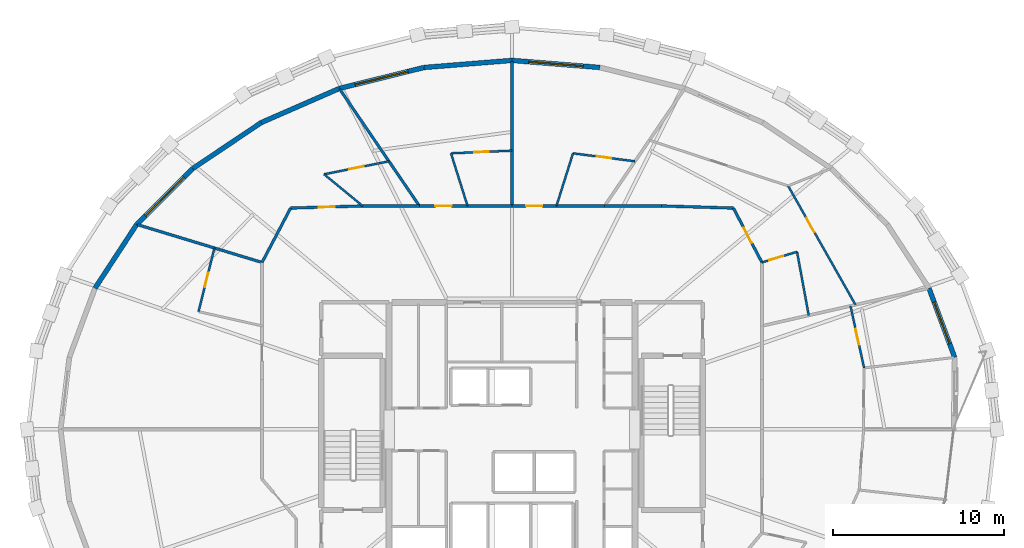
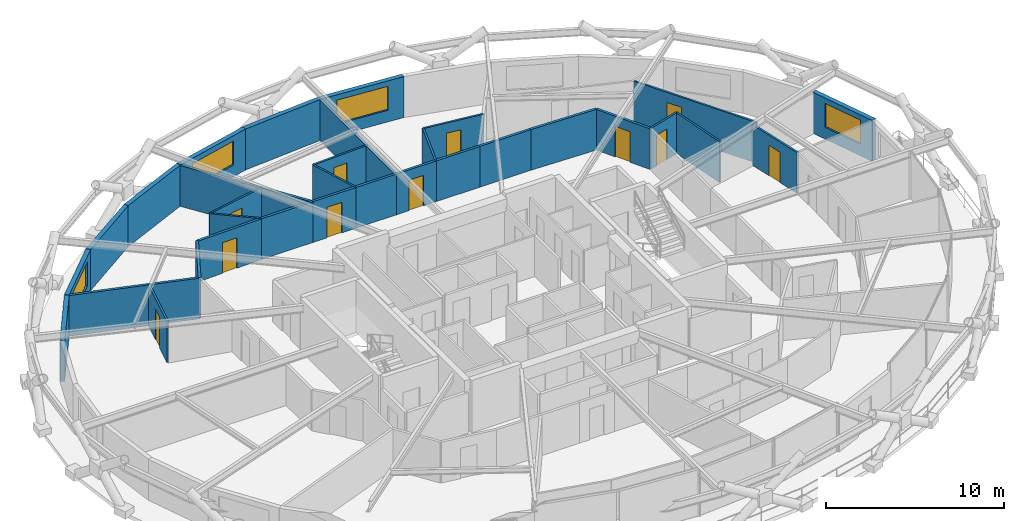
# One storey, part 17 of 21: 32 walls, 11 doors, 4 windows, 15 openings.
"""IFC4 building model written with IfcOpenShell, lengths in metres."""

from ifc_helpers import new_model, si_unit, direction, frame, frame_2d, origin, place, context, subcontext, project, spatial, rectangle, extrude, material, layer, layer_set, type_object, element, fill, save


model = new_model("IFC4")

# Units and contexts
model_context = context("Model", 3, precision=1e-05, world=origin(), true_north=direction((0.0, 1.0)))
body_context = subcontext(model_context, "Body", "Model", "MODEL_VIEW")
ifc_project = project(units=[si_unit("LENGTHUNIT", "METRE"), si_unit("AREAUNIT", "SQUARE_METRE"), si_unit("VOLUMEUNIT", "CUBIC_METRE"), si_unit("PLANEANGLEUNIT", "RADIAN"), si_unit("MASSUNIT", "GRAM", prefix="KILO")], contexts=[model_context])

# Site, building, storey
site_placement = place(None, origin())
site = spatial("IfcSite", under=ifc_project, at=site_placement, CompositionType="ELEMENT")
building_placement = place(site_placement, origin())
building = spatial("IfcBuilding", under=site, at=building_placement, Name="Veldorina Hangang Commons", CompositionType="ELEMENT")
storey_placement = place(building_placement, frame((0.0, 0.0, 142.39990234375)))
storey = spatial("IfcBuildingStorey", under=building, at=storey_placement, Name="L36", CompositionType="ELEMENT", Elevation=142.39990234375)

# Wall, opening, window
ifc_material_1 = material(Name="Stone Roman Travertine", Category="masonry")
ifc_layer_1 = layer(ifc_material_1, 0.280029296875)
ifc_layer_set_1 = layer_set([ifc_layer_1], Name="Stone Roman Travertine")
wall_type_1 = type_object("IfcWallType", Name="EW-TRAV-280", PredefinedType="STANDARD", material=ifc_layer_set_1)
wall_1_placement = place(storey_placement, frame((57.9462890625, 28.219970703125, 0.0), z_axis=(0.0, 0.0, 1.0), x_axis=(-0.347832416273, 0.937556723719, 0.0)))
wall_1 = element("IfcWall", 1, at=wall_1_placement, inside=storey, type_object=wall_type_1, Name="L36 travertine facade wall 01", PredefinedType="STANDARD", context=body_context, shape_type="SweptSolid", body=[
    extrude(rectangle(XDim=4.327880859375, YDim=0.280029296875, at=frame_2d((2.1640625, 0.0))), origin(), (0.0, 0.0, 1.0), 2.820068359375),
])
opening_1_placement = place(wall_1_placement, frame((0.864013671875, 0.0, 0.800048828125)))
opening_1 = element("IfcOpeningElement", 2, at=opening_1_placement, cuts=wall_1, Name="Opening W-02", PredefinedType="OPENING", context=body_context, shape_type="SweptSolid", body=[
    extrude(rectangle(XDim=2.60009765625, YDim=1.64990234375, at=frame_2d((1.300048828125, 0.824951171875))), frame((0.0, 0.14990234375, 0.0), z_axis=(0.0, -1.0, 0.0), x_axis=(1.0, 0.0, 0.0)), (0.0, 0.0, 1.0), 0.300048828125),
])
ifc_material_2 = material(Name="Glass Low-E Triple IGU", Category="glass")
window_type_1 = type_object("IfcWindowType", Name="WIN-TWR-2600", PartitioningType="SINGLE_PANEL", PredefinedType="WINDOW", material=ifc_material_2)
window_1_placement = place(opening_1_placement, origin())
window_1 = element("IfcWindow", 3, at=window_1_placement, inside=storey, type_object=window_type_1, Name="L36 facade window 01", OverallHeight=1.64990234375, OverallWidth=2.60009765625, PartitioningType="SINGLE_PANEL", PredefinedType="WINDOW", context=body_context, shape_type="SweptSolid", body=[
    extrude(rectangle(XDim=2.60009765625, YDim=1.64990234375, at=frame_2d((1.300048828125, 0.824951171875))), frame((0.0, 0.030029296875, 0.0), z_axis=(0.0, -1.0, 0.0), x_axis=(1.0, 0.0, 0.0)), (0.0, 0.0, 1.0), 0.06005859375),
])
fill(opening_1, window_1)

wall_2_placement = place(storey_placement, frame((37.160888671875, 45.214599609375, 0.0), z_axis=(0.0, 0.0, 1.0), x_axis=(-0.996770593757, 0.08030182701, 0.0)))
wall_2 = element("IfcWall", 4, at=wall_2_placement, inside=storey, type_object=wall_type_1, Name="L36 travertine facade wall 07", PredefinedType="STANDARD", context=body_context, shape_type="SweptSolid", body=[
    extrude(rectangle(XDim=5.177490234375, YDim=0.280029296875, at=frame_2d((2.5888671875, 0.0))), origin(), (0.0, 0.0, 1.0), 2.820068359375),
])
opening_2_placement = place(wall_2_placement, frame((0.989013671875, 0.0, 0.800048828125)))
opening_2 = element("IfcOpeningElement", 5, at=opening_2_placement, cuts=wall_2, Name="Opening W-01", PredefinedType="OPENING", context=body_context, shape_type="SweptSolid", body=[
    extrude(rectangle(XDim=3.199951171875, YDim=1.64990234375, at=frame_2d((1.60009765625, 0.824951171875))), frame((0.0, 0.14990234375, 0.0), z_axis=(0.0, -1.0, 0.0), x_axis=(1.0, 0.0, 0.0)), (0.0, 0.0, 1.0), 0.300048828125),
])
window_type_2 = type_object("IfcWindowType", Name="WIN-TWR-3200", PartitioningType="SINGLE_PANEL", PredefinedType="WINDOW", material=ifc_material_2)
window_2_placement = place(opening_2_placement, origin())
window_2 = element("IfcWindow", 6, at=window_2_placement, inside=storey, type_object=window_type_2, Name="L36 facade window 07", OverallHeight=1.64990234375, OverallWidth=3.199951171875, PartitioningType="SINGLE_PANEL", PredefinedType="WINDOW", context=body_context, shape_type="SweptSolid", body=[
    extrude(rectangle(XDim=3.199951171875, YDim=1.64990234375, at=frame_2d((1.60009765625, 0.824951171875))), frame((0.0, 0.030029296875, 0.0), z_axis=(0.0, -1.0, 0.0), x_axis=(1.0, 0.0, 0.0)), (0.0, 0.0, 1.0), 0.06005859375),
])
fill(opening_2, window_2)

# Wall
wall_3_placement = place(storey_placement, frame((32.0, 45.63037109375, 0.0), z_axis=(0.0, 0.0, 1.0), x_axis=(-0.996770593757, -0.08030182701, 0.0)))
element("IfcWall", 7, at=wall_3_placement, inside=storey, type_object=wall_type_1, Name="L36 travertine facade wall 08", PredefinedType="STANDARD", context=body_context, shape_type="SweptSolid", body=[
    extrude(rectangle(XDim=5.177490234375, YDim=0.280029296875, at=frame_2d((2.5888671875, 0.0))), origin(), (0.0, 0.0, 1.0), 2.820068359375),
])

# Wall, opening, window
wall_4_placement = place(storey_placement, frame((26.839111328125, 45.214599609375, 0.0), z_axis=(0.0, 0.0, 1.0), x_axis=(-0.970601368837, -0.240692714498, 0.0)))
wall_4 = element("IfcWall", 8, at=wall_4_placement, inside=storey, type_object=wall_type_1, Name="L36 travertine facade wall 09", PredefinedType="STANDARD", context=body_context, shape_type="SweptSolid", body=[
    extrude(rectangle(XDim=5.11328125, YDim=0.280029296875, at=frame_2d((2.556640625, 0.0))), origin(), (0.0, 0.0, 1.0), 2.820068359375),
])
opening_3_placement = place(wall_4_placement, frame((0.95654296875, 0.0, 0.800048828125)))
opening_3 = element("IfcOpeningElement", 9, at=opening_3_placement, cuts=wall_4, Name="Opening W-01", PredefinedType="OPENING", context=body_context, shape_type="SweptSolid", body=[
    extrude(rectangle(XDim=3.199951171875, YDim=1.64990234375, at=frame_2d((1.60009765625, 0.824951171875))), frame((0.0, 0.14990234375, 0.0), z_axis=(0.0, -1.0, 0.0), x_axis=(1.0, 0.0, 0.0)), (0.0, 0.0, 1.0), 0.300048828125),
])
window_3_placement = place(opening_3_placement, origin())
window_3 = element("IfcWindow", 10, at=window_3_placement, inside=storey, type_object=window_type_2, Name="L36 facade window 09", OverallHeight=1.64990234375, OverallWidth=3.199951171875, PartitioningType="SINGLE_PANEL", PredefinedType="WINDOW", context=body_context, shape_type="SweptSolid", body=[
    extrude(rectangle(XDim=3.199951171875, YDim=1.64990234375, at=frame_2d((1.60009765625, 0.824951171875))), frame((0.0, 0.030029296875, 0.0), z_axis=(0.0, -1.0, 0.0), x_axis=(1.0, 0.0, 0.0)), (0.0, 0.0, 1.0), 0.06005859375),
])
fill(opening_3, window_3)

# Walls
wall_5_placement = place(storey_placement, frame((21.876220703125, 43.98388671875, 0.0), z_axis=(0.0, 0.0, 1.0), x_axis=(-0.916303206083, -0.400485248821, 0.0)))
element("IfcWall", 11, at=wall_5_placement, inside=storey, type_object=wall_type_1, Name="L36 travertine facade wall 10", PredefinedType="STANDARD", context=body_context, shape_type="SweptSolid", body=[
    extrude(rectangle(XDim=4.991455078125, YDim=0.280029296875, at=frame_2d((2.49560546875, 0.0))), origin(), (0.0, 0.0, 1.0), 2.820068359375),
])
wall_6_placement = place(storey_placement, frame((17.302490234375, 41.98486328125, 0.0), z_axis=(0.0, 0.0, 1.0), x_axis=(-0.830381581739, -0.55719514419, 0.0)))
element("IfcWall", 12, at=wall_6_placement, inside=storey, type_object=wall_type_1, Name="L36 travertine facade wall 11", PredefinedType="STANDARD", context=body_context, shape_type="SweptSolid", body=[
    extrude(rectangle(XDim=4.82763671875, YDim=0.280029296875, at=frame_2d((2.413818359375, 0.0))), origin(), (0.0, 0.0, 1.0), 2.820068359375),
])

# Wall, opening, window
wall_7_placement = place(storey_placement, frame((13.293701171875, 39.294921875, 0.0), z_axis=(0.0, 0.0, 1.0), x_axis=(-0.708393596514, -0.705817619799, 0.0)))
wall_7 = element("IfcWall", 13, at=wall_7_placement, inside=storey, type_object=wall_type_1, Name="L36 travertine facade wall 12", PredefinedType="STANDARD", context=body_context, shape_type="SweptSolid", body=[
    extrude(rectangle(XDim=4.64404296875, YDim=0.280029296875, at=frame_2d((2.322021484375, 0.0))), origin(), (0.0, 0.0, 1.0), 2.820068359375),
])
opening_4_placement = place(wall_7_placement, frame((0.721923828125, 0.0, 0.800048828125)))
opening_4 = element("IfcOpeningElement", 14, at=opening_4_placement, cuts=wall_7, Name="Opening W-01", PredefinedType="OPENING", context=body_context, shape_type="SweptSolid", body=[
    extrude(rectangle(XDim=3.199951171875, YDim=1.64990234375, at=frame_2d((1.60009765625, 0.824951171875))), frame((0.0, 0.14990234375, 0.0), z_axis=(0.0, -1.0, 0.0), x_axis=(1.0, 0.0, 0.0)), (0.0, 0.0, 1.0), 0.300048828125),
])
window_4_placement = place(opening_4_placement, origin())
window_4 = element("IfcWindow", 15, at=window_4_placement, inside=storey, type_object=window_type_2, Name="L36 facade window 12", OverallHeight=1.64990234375, OverallWidth=3.199951171875, PartitioningType="SINGLE_PANEL", PredefinedType="WINDOW", context=body_context, shape_type="SweptSolid", body=[
    extrude(rectangle(XDim=3.199951171875, YDim=1.64990234375, at=frame_2d((1.60009765625, 0.824951171875))), frame((0.0, 0.030029296875, 0.0), z_axis=(0.0, -1.0, 0.0), x_axis=(1.0, 0.0, 0.0)), (0.0, 0.0, 1.0), 0.06005859375),
])
fill(opening_4, window_4)

# Wall
wall_8_placement = place(storey_placement, frame((10.00390625, 36.01708984375, 0.0), z_axis=(0.0, 0.0, 1.0), x_axis=(-0.547212555107, -0.836993679506, 0.0)))
element("IfcWall", 16, at=wall_8_placement, inside=storey, type_object=wall_type_1, Name="L36 travertine facade wall 13", PredefinedType="STANDARD", context=body_context, shape_type="SweptSolid", body=[
    extrude(rectangle(XDim=4.4677734375, YDim=0.280029296875, at=frame_2d((2.23388671875, 0.0))), origin(), (0.0, 0.0, 1.0), 2.820068359375),
])

# Wall, opening, door
ifc_material_3 = material(Name="Gypsum Fire-Rated Twin Stud Wall", Category="gypsum")
ifc_layer_2 = layer(ifc_material_3, 0.159912109375)
ifc_layer_set_2 = layer_set([ifc_layer_2], Name="Gypsum Fire-Rated Twin Stud Wall")
wall_type_2 = type_object("IfcWallType", Name="WL-FIRE-160", PredefinedType="SOLIDWALL", material=ifc_layer_set_2)
wall_9_placement = place(storey_placement, frame((46.64990234375, 33.788818359375, 0.0), z_axis=(0.0, 0.0, 1.0), x_axis=(-0.46527115782, 0.885168204185, 0.0)))
wall_9 = element("IfcWall", 17, at=wall_9_placement, inside=storey, type_object=wall_type_2, Name="L36 U-corridor outer wall 03 053", PredefinedType="SOLIDWALL", context=body_context, shape_type="SweptSolid", body=[
    extrude(rectangle(XDim=3.599609375, YDim=0.159912109375, at=frame_2d((1.7998046875, 0.0))), origin(), (0.0, 0.0, 1.0), 2.800048828125),
])
opening_5_placement = place(wall_9_placement, frame((1.2998046875, 0.0, 0.0)))
opening_5 = element("IfcOpeningElement", 18, at=opening_5_placement, cuts=wall_9, Name="Opening D-06", PredefinedType="OPENING", context=body_context, shape_type="SweptSolid", body=[
    extrude(rectangle(XDim=1.0, YDim=2.10009765625, at=frame_2d((0.5, 1.050048828125))), frame((0.0, 0.08984375, 0.0), z_axis=(0.0, -1.0, 0.0), x_axis=(1.0, 0.0, 0.0)), (0.0, 0.0, 1.0), 0.179931640625),
])
ifc_material_4 = material(Name="Timber Fire-Rated Entrance Core", Category="wood")
door_type_1 = type_object("IfcDoorType", Name="DR-UNIT-1000", OperationType="SINGLE_SWING_LEFT", PredefinedType="DOOR", material=ifc_material_4)
door_1_placement = place(opening_5_placement, origin())
door_1 = element("IfcDoor", 19, at=door_1_placement, inside=storey, type_object=door_type_1, Name="L36 Cluster 3 entrance door 031", OperationType="SINGLE_SWING_LEFT", OverallHeight=2.10009765625, OverallWidth=1.0, PredefinedType="DOOR", context=body_context, shape_type="SweptSolid", body=[
    extrude(rectangle(XDim=1.0, YDim=2.10009765625, at=frame_2d((0.5, 1.050048828125))), frame((0.0, 0.02490234375, 0.0), z_axis=(0.0, -1.0, 0.0), x_axis=(1.0, 0.0, 0.0)), (0.0, 0.0, 1.0), 0.050048828125),
])
fill(opening_5, door_1)

# Walls
wall_10_placement = place(storey_placement, frame((44.97509765625, 36.97509765625, 0.0), z_axis=(0.0, 0.0, 1.0), x_axis=(-0.999561990195, 0.029594387265, 0.0)))
element("IfcWall", 20, at=wall_10_placement, inside=storey, type_object=wall_type_2, Name="L36 U-corridor outer wall 04 054", PredefinedType="SOLIDWALL", context=body_context, shape_type="SweptSolid", body=[
    extrude(rectangle(XDim=4.223876953125, YDim=0.159912109375, at=frame_2d((2.11181640625, 0.0))), origin(), (0.0, 0.0, 1.0), 2.800048828125),
])
wall_11_placement = place(storey_placement, frame((40.753173828125, 37.10009765625, 0.0), z_axis=(0.0, 0.0, 1.0), x_axis=(-1.0, 0.0, 0.0)))
element("IfcWall", 21, at=wall_11_placement, inside=storey, type_object=wall_type_2, Name="L36 U-corridor outer wall 05 055", PredefinedType="SOLIDWALL", context=body_context, shape_type="SweptSolid", body=[
    extrude(rectangle(XDim=3.326904296875, YDim=0.159912109375, at=frame_2d((1.66357421875, 0.0))), origin(), (0.0, 0.0, 1.0), 2.800048828125),
])
wall_12_placement = place(storey_placement, frame((37.42626953125, 37.10009765625, 0.0), z_axis=(0.0, 0.0, 1.0), x_axis=(-1.0, 0.0, 0.0)))
element("IfcWall", 22, at=wall_12_placement, inside=storey, type_object=wall_type_2, Name="L36 U-corridor outer wall 06 056", PredefinedType="SOLIDWALL", context=body_context, shape_type="SweptSolid", body=[
    extrude(rectangle(XDim=2.820556640625, YDim=0.159912109375, at=frame_2d((1.41015625, 0.0))), origin(), (0.0, 0.0, 1.0), 2.800048828125),
])

# Wall, opening, door
wall_13_placement = place(storey_placement, frame((34.605712890625, 37.10009765625, 0.0), z_axis=(0.0, 0.0, 1.0), x_axis=(-1.0, 0.0, 0.0)))
wall_13 = element("IfcWall", 23, at=wall_13_placement, inside=storey, type_object=wall_type_2, Name="L36 U-corridor outer wall 07 057", PredefinedType="SOLIDWALL", context=body_context, shape_type="SweptSolid", body=[
    extrude(rectangle(XDim=2.605712890625, YDim=0.159912109375, at=frame_2d((1.302734375, 0.0))), origin(), (0.0, 0.0, 1.0), 2.800048828125),
])
opening_6_placement = place(wall_13_placement, frame((0.827880859375, 0.0, 0.0)))
opening_6 = element("IfcOpeningElement", 24, at=opening_6_placement, cuts=wall_13, Name="Opening D-03", PredefinedType="OPENING", context=body_context, shape_type="SweptSolid", body=[
    extrude(rectangle(XDim=0.949951171875, YDim=2.10009765625, at=frame_2d((0.47509765625, 1.050048828125))), frame((0.0, 0.08984375, 0.0), z_axis=(0.0, -1.0, 0.0), x_axis=(1.0, 0.0, 0.0)), (0.0, 0.0, 1.0), 0.179931640625),
])
door_type_2 = type_object("IfcDoorType", Name="DR-UNIT-950", OperationType="SINGLE_SWING_RIGHT", PredefinedType="DOOR", material=ifc_material_4)
door_2_placement = place(opening_6_placement, origin())
door_2 = element("IfcDoor", 25, at=door_2_placement, inside=storey, type_object=door_type_2, Name="L36 Studio 4 entrance door 035", OperationType="SINGLE_SWING_LEFT", OverallHeight=2.10009765625, OverallWidth=0.949951171875, PredefinedType="DOOR", context=body_context, shape_type="SweptSolid", body=[
    extrude(rectangle(XDim=0.949951171875, YDim=2.10009765625, at=frame_2d((0.47509765625, 1.050048828125))), frame((0.0, 0.02490234375, 0.0), z_axis=(0.0, -1.0, 0.0), x_axis=(1.0, 0.0, 0.0)), (0.0, 0.0, 1.0), 0.050048828125),
])
fill(opening_6, door_2)

# Wall
wall_14_placement = place(storey_placement, frame((32.0, 37.10009765625, 0.0), z_axis=(0.0, 0.0, 1.0), x_axis=(-1.0, 0.0, 0.0)))
element("IfcWall", 26, at=wall_14_placement, inside=storey, type_object=wall_type_2, Name="L36 U-corridor outer wall 08 058", PredefinedType="SOLIDWALL", context=body_context, shape_type="SweptSolid", body=[
    extrude(rectangle(XDim=2.605712890625, YDim=0.159912109375, at=frame_2d((1.302734375, 0.0))), origin(), (0.0, 0.0, 1.0), 2.800048828125),
])

# Wall, opening, door
wall_15_placement = place(storey_placement, frame((29.394287109375, 37.10009765625, 0.0), z_axis=(0.0, 0.0, 1.0), x_axis=(-1.0, 0.0, 0.0)))
wall_15 = element("IfcWall", 27, at=wall_15_placement, inside=storey, type_object=wall_type_2, Name="L36 U-corridor outer wall 09 059", PredefinedType="SOLIDWALL", context=body_context, shape_type="SweptSolid", body=[
    extrude(rectangle(XDim=2.820556640625, YDim=0.159912109375, at=frame_2d((1.41015625, 0.0))), origin(), (0.0, 0.0, 1.0), 2.800048828125),
])
opening_7_placement = place(wall_15_placement, frame((0.935302734375, 0.0, 0.0)))
opening_7 = element("IfcOpeningElement", 28, at=opening_7_placement, cuts=wall_15, Name="Opening D-03", PredefinedType="OPENING", context=body_context, shape_type="SweptSolid", body=[
    extrude(rectangle(XDim=0.949951171875, YDim=2.10009765625, at=frame_2d((0.47509765625, 1.050048828125))), frame((0.0, 0.08984375, 0.0), z_axis=(0.0, -1.0, 0.0), x_axis=(1.0, 0.0, 0.0)), (0.0, 0.0, 1.0), 0.179931640625),
])
door_3_placement = place(opening_7_placement, origin())
door_3 = element("IfcDoor", 29, at=door_3_placement, inside=storey, type_object=door_type_2, Name="L36 Studio 5 entrance door 037", OperationType="SINGLE_SWING_LEFT", OverallHeight=2.10009765625, OverallWidth=0.949951171875, PredefinedType="DOOR", context=body_context, shape_type="SweptSolid", body=[
    extrude(rectangle(XDim=0.949951171875, YDim=2.10009765625, at=frame_2d((0.47509765625, 1.050048828125))), frame((0.0, 0.02490234375, 0.0), z_axis=(0.0, -1.0, 0.0), x_axis=(1.0, 0.0, 0.0)), (0.0, 0.0, 1.0), 0.050048828125),
])
fill(opening_7, door_3)

# Wall
wall_16_placement = place(storey_placement, frame((26.57373046875, 37.10009765625, 0.0), z_axis=(0.0, 0.0, 1.0), x_axis=(-1.0, 0.0, 0.0)))
element("IfcWall", 30, at=wall_16_placement, inside=storey, type_object=wall_type_2, Name="L36 U-corridor outer wall 10 060", PredefinedType="SOLIDWALL", context=body_context, shape_type="SweptSolid", body=[
    extrude(rectangle(XDim=3.326904296875, YDim=0.159912109375, at=frame_2d((1.66357421875, 0.0))), origin(), (0.0, 0.0, 1.0), 2.800048828125),
])

# Wall, opening, door
wall_17_placement = place(storey_placement, frame((23.246826171875, 37.10009765625, 0.0), z_axis=(0.0, 0.0, 1.0), x_axis=(-0.999561990195, -0.029594387265, 0.0)))
wall_17 = element("IfcWall", 31, at=wall_17_placement, inside=storey, type_object=wall_type_2, Name="L36 U-corridor outer wall 11 061", PredefinedType="SOLIDWALL", context=body_context, shape_type="SweptSolid", body=[
    extrude(rectangle(XDim=4.223876953125, YDim=0.159912109375, at=frame_2d((2.11181640625, 0.0))), origin(), (0.0, 0.0, 1.0), 2.800048828125),
])
opening_8_placement = place(wall_17_placement, frame((1.636962890625, 0.0, 0.0)))
opening_8 = element("IfcOpeningElement", 32, at=opening_8_placement, cuts=wall_17, Name="Opening D-03", PredefinedType="OPENING", context=body_context, shape_type="SweptSolid", body=[
    extrude(rectangle(XDim=0.949951171875, YDim=2.10009765625, at=frame_2d((0.47509765625, 1.050048828125))), frame((0.0, 0.08984375, 0.0), z_axis=(0.0, -1.0, 0.0), x_axis=(1.0, 0.0, 0.0)), (0.0, 0.0, 1.0), 0.179931640625),
])
door_4_placement = place(opening_8_placement, origin())
door_4 = element("IfcDoor", 33, at=door_4_placement, inside=storey, type_object=door_type_2, Name="L36 Studio 6 entrance door 039", OperationType="SINGLE_SWING_LEFT", OverallHeight=2.10009765625, OverallWidth=0.949951171875, PredefinedType="DOOR", context=body_context, shape_type="SweptSolid", body=[
    extrude(rectangle(XDim=0.949951171875, YDim=2.10009765625, at=frame_2d((0.47509765625, 1.050048828125))), frame((0.0, 0.02490234375, 0.0), z_axis=(0.0, -1.0, 0.0), x_axis=(1.0, 0.0, 0.0)), (0.0, 0.0, 1.0), 0.050048828125),
])
fill(opening_8, door_4)

# Walls
wall_18_placement = place(storey_placement, frame((19.02490234375, 36.97509765625, 0.0), z_axis=(0.0, 0.0, 1.0), x_axis=(-0.46527115782, -0.885168204185, 0.0)))
element("IfcWall", 34, at=wall_18_placement, inside=storey, type_object=wall_type_2, Name="L36 U-corridor outer wall 12 062", PredefinedType="SOLIDWALL", context=body_context, shape_type="SweptSolid", body=[
    extrude(rectangle(XDim=3.599609375, YDim=0.159912109375, at=frame_2d((1.7998046875, 0.0))), origin(), (0.0, 0.0, 1.0), 2.800048828125),
])
wall_19_placement = place(storey_placement, frame((32.0, 37.10009765625, 0.0), z_axis=(0.0, 0.0, 1.0), x_axis=(0.0, 1.0, 0.0)))
element("IfcWall", 35, at=wall_19_placement, inside=storey, type_object=wall_type_2, Name="L36 Unit party wall 08 106", PredefinedType="SOLIDWALL", context=body_context, shape_type="SweptSolid", body=[
    extrude(rectangle(XDim=8.480224609375, YDim=0.159912109375, at=frame_2d((4.240234375, 0.0))), origin(), (0.0, 0.0, 1.0), 2.800048828125),
])
wall_20_placement = place(storey_placement, frame((26.57373046875, 37.10009765625, 0.0), z_axis=(0.0, 0.0, 1.0), x_axis=(-0.563666009878, 0.82600280224, 0.0)))
element("IfcWall", 36, at=wall_20_placement, inside=storey, type_object=wall_type_2, Name="L36 Unit party wall 10 109", PredefinedType="SOLIDWALL", context=body_context, shape_type="SweptSolid", body=[
    extrude(rectangle(XDim=8.28369140625, YDim=0.159912109375, at=frame_2d((4.141845703125, 0.0))), origin(), (0.0, 0.0, 1.0), 2.800048828125),
])
wall_21_placement = place(storey_placement, frame((17.35009765625, 33.788818359375, 0.0), z_axis=(0.0, 0.0, 1.0), x_axis=(-0.956945218229, 0.290268581331, 0.0)))
element("IfcWall", 37, at=wall_21_placement, inside=storey, type_object=wall_type_2, Name="L36 Unit party wall 13 112", PredefinedType="SOLIDWALL", context=body_context, shape_type="SweptSolid", body=[
    extrude(rectangle(XDim=7.626953125, YDim=0.159912109375, at=frame_2d((3.8134765625, 0.0))), origin(), (0.0, 0.0, 1.0), 2.800048828125),
])

# Wall, opening, door
ifc_material_5 = material(Name="Gypsum Acoustic Stud Partition", Category="gypsum")
ifc_layer_3 = layer(ifc_material_5, 0.1201171875)
ifc_layer_set_3 = layer_set([ifc_layer_3], Name="Gypsum Acoustic Stud Partition")
wall_type_3 = type_object("IfcWallType", Name="WL-PART-120", PredefinedType="PARTITIONING", material=ifc_layer_set_3)
wall_22_placement = place(storey_placement, frame((52.636962890625, 27.606201171875, 0.0), z_axis=(0.0, 0.0, 1.0), x_axis=(-0.214497403301, 0.97672455891, 0.0)))
wall_22 = element("IfcWall", 38, at=wall_22_placement, inside=storey, type_object=wall_type_3, Name="L36 Cluster 2 bed 4 front wall 095", PredefinedType="PARTITIONING", context=body_context, shape_type="SweptSolid", body=[
    extrude(rectangle(XDim=3.7197265625, YDim=0.1201171875, at=frame_2d((1.85986328125, 0.0))), origin(), (0.0, 0.0, 1.0), 2.800048828125),
])
opening_9_placement = place(wall_22_placement, frame((1.384765625, 0.0, 0.0)))
opening_9 = element("IfcOpeningElement", 39, at=opening_9_placement, cuts=wall_22, Name="Opening D-02", PredefinedType="OPENING", context=body_context, shape_type="SweptSolid", body=[
    extrude(rectangle(XDim=0.949951171875, YDim=2.10009765625, at=frame_2d((0.47509765625, 1.050048828125))), frame((0.0, 0.070068359375, 0.0), z_axis=(0.0, -1.0, 0.0), x_axis=(1.0, 0.0, 0.0)), (0.0, 0.0, 1.0), 0.14013671875),
])
ifc_material_6 = material(Name="Timber Solid Core Acoustic", Category="wood")
door_type_3 = type_object("IfcDoorType", Name="DR-INT-950", OperationType="SINGLE_SWING_LEFT", PredefinedType="DOOR", material=ifc_material_6)
door_5_placement = place(opening_9_placement, origin())
door_5 = element("IfcDoor", 40, at=door_5_placement, inside=storey, type_object=door_type_3, Name="L36 Cluster 2 bed 4 door 029", OperationType="SINGLE_SWING_LEFT", OverallHeight=2.10009765625, OverallWidth=0.949951171875, PredefinedType="DOOR", context=body_context, shape_type="SweptSolid", body=[
    extrude(rectangle(XDim=0.949951171875, YDim=2.10009765625, at=frame_2d((0.47509765625, 1.050048828125))), frame((0.0, 0.02490234375, 0.0), z_axis=(0.0, -1.0, 0.0), x_axis=(1.0, 0.0, 0.0)), (0.0, 0.0, 1.0), 0.050048828125),
])
fill(opening_9, door_5)

# Wall
wall_23_placement = place(storey_placement, frame((49.3916015625, 30.686767578125, 0.0), z_axis=(0.0, 0.0, 1.0), x_axis=(-0.180762204069, 0.983526830127, 0.0)))
element("IfcWall", 41, at=wall_23_placement, inside=storey, type_object=wall_type_3, Name="L36 Cluster 3 bath front wall 098", PredefinedType="PARTITIONING", context=body_context, shape_type="SweptSolid", body=[
    extrude(rectangle(XDim=3.78857421875, YDim=0.1201171875, at=frame_2d((1.894287109375, 0.0))), origin(), (0.0, 0.0, 1.0), 2.800048828125),
])

# Wall, opening, door
wall_24_placement = place(storey_placement, frame((46.64990234375, 33.788818359375, 0.0), z_axis=(0.0, 0.0, 1.0), x_axis=(0.956930737549, 0.290316316341, 0.0)))
wall_24 = element("IfcWall", 42, at=wall_24_placement, inside=storey, type_object=wall_type_3, Name="L36 Cluster 3 bath side wall 099", PredefinedType="PARTITIONING", context=body_context, shape_type="SweptSolid", body=[
    extrude(rectangle(XDim=2.1494140625, YDim=0.1201171875, at=frame_2d((1.07470703125, 0.0))), origin(), (0.0, 0.0, 1.0), 2.800048828125),
])
opening_10_placement = place(wall_24_placement, frame((0.43994140625, 0.0, 0.0)))
opening_10 = element("IfcOpeningElement", 43, at=opening_10_placement, cuts=wall_24, Name="Opening D-01", PredefinedType="OPENING", context=body_context, shape_type="SweptSolid", body=[
    extrude(rectangle(XDim=0.860107421875, YDim=2.10009765625, at=frame_2d((0.43017578125, 1.050048828125))), frame((0.0, 0.070068359375, 0.0), z_axis=(0.0, -1.0, 0.0), x_axis=(1.0, 0.0, 0.0)), (0.0, 0.0, 1.0), 0.14013671875),
])
ifc_material_7 = material(Name="Timber Moisture-Resistant Core", Category="wood")
door_type_4 = type_object("IfcDoorType", Name="DR-WET-860", OperationType="SINGLE_SWING_LEFT", PredefinedType="DOOR", material=ifc_material_7)
door_6_placement = place(opening_10_placement, origin())
door_6 = element("IfcDoor", 44, at=door_6_placement, inside=storey, type_object=door_type_4, Name="L36 Cluster 3 shared bathroom door 030", OperationType="SINGLE_SWING_RIGHT", OverallHeight=2.10009765625, OverallWidth=0.860107421875, PredefinedType="DOOR", context=body_context, shape_type="SweptSolid", body=[
    extrude(rectangle(XDim=0.860107421875, YDim=2.10009765625, at=frame_2d((0.43017578125, 1.050048828125))), frame((0.0, 0.02490234375, 0.0), z_axis=(0.0, -1.0, 0.0), x_axis=(1.0, 0.0, 0.0)), (0.0, 0.0, 1.0), 0.050048828125),
])
fill(opening_10, door_6)

wall_25_placement = place(storey_placement, frame((52.1328125, 31.305419921875, 0.0), z_axis=(0.0, 0.0, 1.0), x_axis=(-0.492944891057, 0.870060534895, 0.0)))
wall_25 = element("IfcWall", 45, at=wall_25_placement, inside=storey, type_object=wall_type_3, Name="L36 Cluster 3 bed 1 front wall 100", PredefinedType="PARTITIONING", context=body_context, shape_type="SweptSolid", body=[
    extrude(rectangle(XDim=8.009521484375, YDim=0.1201171875, at=frame_2d((4.0048828125, 0.0))), origin(), (0.0, 0.0, 1.0), 2.800048828125),
])
opening_11_placement = place(wall_25_placement, frame((4.88916015625, 0.0, 0.0)))
opening_11 = element("IfcOpeningElement", 46, at=opening_11_placement, cuts=wall_25, Name="Opening D-02", PredefinedType="OPENING", context=body_context, shape_type="SweptSolid", body=[
    extrude(rectangle(XDim=0.949951171875, YDim=2.10009765625, at=frame_2d((0.47509765625, 1.050048828125))), frame((0.0, 0.070068359375, 0.0), z_axis=(0.0, -1.0, 0.0), x_axis=(1.0, 0.0, 0.0)), (0.0, 0.0, 1.0), 0.14013671875),
])
door_7_placement = place(opening_11_placement, origin())
door_7 = element("IfcDoor", 47, at=door_7_placement, inside=storey, type_object=door_type_3, Name="L36 Cluster 3 bed 1 door 032", OperationType="SINGLE_SWING_RIGHT", OverallHeight=2.10009765625, OverallWidth=0.949951171875, PredefinedType="DOOR", context=body_context, shape_type="SweptSolid", body=[
    extrude(rectangle(XDim=0.949951171875, YDim=2.10009765625, at=frame_2d((0.47509765625, 1.050048828125))), frame((0.0, 0.02490234375, 0.0), z_axis=(0.0, -1.0, 0.0), x_axis=(1.0, 0.0, 0.0)), (0.0, 0.0, 1.0), 0.050048828125),
])
fill(opening_11, door_7)

wall_26_placement = place(storey_placement, frame((39.211181640625, 39.7158203125, 0.0), z_axis=(0.0, 0.0, 1.0), x_axis=(-0.991818189367, 0.12765844759, 0.0)))
wall_26 = element("IfcWall", 48, at=wall_26_placement, inside=storey, type_object=wall_type_3, Name="L36 Studio 4 bath front wall 104", PredefinedType="PARTITIONING", context=body_context, shape_type="SweptSolid", body=[
    extrude(rectangle(XDim=3.664306640625, YDim=0.1201171875, at=frame_2d((1.83203125, 0.0))), origin(), (0.0, 0.0, 1.0), 2.800048828125),
])
opening_12_placement = place(wall_26_placement, frame((1.402099609375, 0.0, 0.0)))
opening_12 = element("IfcOpeningElement", 49, at=opening_12_placement, cuts=wall_26, Name="Opening D-01", PredefinedType="OPENING", context=body_context, shape_type="SweptSolid", body=[
    extrude(rectangle(XDim=0.860107421875, YDim=2.10009765625, at=frame_2d((0.43017578125, 1.050048828125))), frame((0.0, 0.070068359375, 0.0), z_axis=(0.0, -1.0, 0.0), x_axis=(1.0, 0.0, 0.0)), (0.0, 0.0, 1.0), 0.14013671875),
])
door_8_placement = place(opening_12_placement, origin())
door_8 = element("IfcDoor", 50, at=door_8_placement, inside=storey, type_object=door_type_4, Name="L36 Studio 4 bathroom door 034", OperationType="SINGLE_SWING_RIGHT", OverallHeight=2.10009765625, OverallWidth=0.860107421875, PredefinedType="DOOR", context=body_context, shape_type="SweptSolid", body=[
    extrude(rectangle(XDim=0.860107421875, YDim=2.10009765625, at=frame_2d((0.43017578125, 1.050048828125))), frame((0.0, 0.02490234375, 0.0), z_axis=(0.0, -1.0, 0.0), x_axis=(1.0, 0.0, 0.0)), (0.0, 0.0, 1.0), 0.050048828125),
])
fill(opening_12, door_8)

# Wall
wall_27_placement = place(storey_placement, frame((34.605712890625, 37.10009765625, 0.0), z_axis=(0.0, 0.0, 1.0), x_axis=(0.300415657208, 0.953808383746, 0.0)))
element("IfcWall", 51, at=wall_27_placement, inside=storey, type_object=wall_type_3, Name="L36 Studio 4 bath side wall 105", PredefinedType="PARTITIONING", context=body_context, shape_type="SweptSolid", body=[
    extrude(rectangle(XDim=3.23291015625, YDim=0.1201171875, at=frame_2d((1.616455078125, 0.0))), origin(), (0.0, 0.0, 1.0), 2.800048828125),
])

# Wall, opening, door
wall_28_placement = place(storey_placement, frame((32.0, 40.341552734375, 0.0), z_axis=(0.0, 0.0, 1.0), x_axis=(-0.999026335395, -0.04411781032, 0.0)))
wall_28 = element("IfcWall", 52, at=wall_28_placement, inside=storey, type_object=wall_type_3, Name="L36 Studio 5 bath front wall 107", PredefinedType="PARTITIONING", context=body_context, shape_type="SweptSolid", body=[
    extrude(rectangle(XDim=3.580322265625, YDim=0.1201171875, at=frame_2d((1.7900390625, 0.0))), origin(), (0.0, 0.0, 1.0), 2.800048828125),
])
opening_13_placement = place(wall_28_placement, frame((1.360107421875, 0.0, 0.0)))
opening_13 = element("IfcOpeningElement", 53, at=opening_13_placement, cuts=wall_28, Name="Opening D-01", PredefinedType="OPENING", context=body_context, shape_type="SweptSolid", body=[
    extrude(rectangle(XDim=0.860107421875, YDim=2.10009765625, at=frame_2d((0.43017578125, 1.050048828125))), frame((0.0, 0.070068359375, 0.0), z_axis=(0.0, -1.0, 0.0), x_axis=(1.0, 0.0, 0.0)), (0.0, 0.0, 1.0), 0.14013671875),
])
door_9_placement = place(opening_13_placement, origin())
door_9 = element("IfcDoor", 54, at=door_9_placement, inside=storey, type_object=door_type_4, Name="L36 Studio 5 bathroom door 036", OperationType="SINGLE_SWING_RIGHT", OverallHeight=2.10009765625, OverallWidth=0.860107421875, PredefinedType="DOOR", context=body_context, shape_type="SweptSolid", body=[
    extrude(rectangle(XDim=0.860107421875, YDim=2.10009765625, at=frame_2d((0.43017578125, 1.050048828125))), frame((0.0, 0.02490234375, 0.0), z_axis=(0.0, -1.0, 0.0), x_axis=(1.0, 0.0, 0.0)), (0.0, 0.0, 1.0), 0.050048828125),
])
fill(opening_13, door_9)

# Wall
wall_29_placement = place(storey_placement, frame((29.394287109375, 37.10009765625, 0.0), z_axis=(0.0, 0.0, 1.0), x_axis=(-0.300415657208, 0.953808383746, 0.0)))
element("IfcWall", 55, at=wall_29_placement, inside=storey, type_object=wall_type_3, Name="L36 Studio 5 bath side wall 108", PredefinedType="PARTITIONING", context=body_context, shape_type="SweptSolid", body=[
    extrude(rectangle(XDim=3.23291015625, YDim=0.1201171875, at=frame_2d((1.616455078125, 0.0))), origin(), (0.0, 0.0, 1.0), 2.800048828125),
])

# Wall, opening, door
wall_30_placement = place(storey_placement, frame((24.788818359375, 39.7158203125, 0.0), z_axis=(0.0, 0.0, 1.0), x_axis=(-0.980612157528, -0.195958660205, 0.0)))
wall_30 = element("IfcWall", 56, at=wall_30_placement, inside=storey, type_object=wall_type_3, Name="L36 Studio 6 bath front wall 110", PredefinedType="PARTITIONING", context=body_context, shape_type="SweptSolid", body=[
    extrude(rectangle(XDim=3.8759765625, YDim=0.1201171875, at=frame_2d((1.93798828125, 0.0))), origin(), (0.0, 0.0, 1.0), 2.800048828125),
])
opening_14_placement = place(wall_30_placement, frame((1.5078125, 0.0, 0.0)))
opening_14 = element("IfcOpeningElement", 57, at=opening_14_placement, cuts=wall_30, Name="Opening D-01", PredefinedType="OPENING", context=body_context, shape_type="SweptSolid", body=[
    extrude(rectangle(XDim=0.860107421875, YDim=2.10009765625, at=frame_2d((0.43017578125, 1.050048828125))), frame((0.0, 0.070068359375, 0.0), z_axis=(0.0, -1.0, 0.0), x_axis=(1.0, 0.0, 0.0)), (0.0, 0.0, 1.0), 0.14013671875),
])
door_10_placement = place(opening_14_placement, origin())
door_10 = element("IfcDoor", 58, at=door_10_placement, inside=storey, type_object=door_type_4, Name="L36 Studio 6 bathroom door 038", OperationType="SINGLE_SWING_RIGHT", OverallHeight=2.10009765625, OverallWidth=0.860107421875, PredefinedType="DOOR", context=body_context, shape_type="SweptSolid", body=[
    extrude(rectangle(XDim=0.860107421875, YDim=2.10009765625, at=frame_2d((0.43017578125, 1.050048828125))), frame((0.0, 0.02490234375, 0.0), z_axis=(0.0, -1.0, 0.0), x_axis=(1.0, 0.0, 0.0)), (0.0, 0.0, 1.0), 0.050048828125),
])
fill(opening_14, door_10)

# Wall
wall_31_placement = place(storey_placement, frame((23.246826171875, 37.10009765625, 0.0), z_axis=(0.0, 0.0, 1.0), x_axis=(-0.772597513468, 0.634896119206, 0.0)))
element("IfcWall", 59, at=wall_31_placement, inside=storey, type_object=wall_type_3, Name="L36 Studio 6 bath side wall 111", PredefinedType="PARTITIONING", context=body_context, shape_type="SweptSolid", body=[
    extrude(rectangle(XDim=2.923583984375, YDim=0.1201171875, at=frame_2d((1.4619140625, 0.0))), origin(), (0.0, 0.0, 1.0), 2.800048828125),
])

# Wall, opening, door
wall_32_placement = place(storey_placement, frame((14.558349609375, 34.635498046875, 0.0), z_axis=(0.0, 0.0, 1.0), x_axis=(-0.241802876518, -0.970325393313, 0.0)))
wall_32 = element("IfcWall", 60, at=wall_32_placement, inside=storey, type_object=wall_type_3, Name="L36 Studio 7 bath front wall 113", PredefinedType="PARTITIONING", context=body_context, shape_type="SweptSolid", body=[
    extrude(rectangle(XDim=3.841796875, YDim=0.1201171875, at=frame_2d((1.9208984375, 0.0))), origin(), (0.0, 0.0, 1.0), 2.800048828125),
])
opening_15_placement = place(wall_32_placement, frame((1.490966796875, 0.0, 0.0)))
opening_15 = element("IfcOpeningElement", 61, at=opening_15_placement, cuts=wall_32, Name="Opening D-01", PredefinedType="OPENING", context=body_context, shape_type="SweptSolid", body=[
    extrude(rectangle(XDim=0.860107421875, YDim=2.10009765625, at=frame_2d((0.43017578125, 1.050048828125))), frame((0.0, 0.070068359375, 0.0), z_axis=(0.0, -1.0, 0.0), x_axis=(1.0, 0.0, 0.0)), (0.0, 0.0, 1.0), 0.14013671875),
])
door_11_placement = place(opening_15_placement, origin())
door_11 = element("IfcDoor", 62, at=door_11_placement, inside=storey, type_object=door_type_4, Name="L36 Studio 7 bathroom door 040", OperationType="SINGLE_SWING_RIGHT", OverallHeight=2.10009765625, OverallWidth=0.860107421875, PredefinedType="DOOR", context=body_context, shape_type="SweptSolid", body=[
    extrude(rectangle(XDim=0.860107421875, YDim=2.10009765625, at=frame_2d((0.43017578125, 1.050048828125))), frame((0.0, 0.02490234375, 0.0), z_axis=(0.0, -1.0, 0.0), x_axis=(1.0, 0.0, 0.0)), (0.0, 0.0, 1.0), 0.050048828125),
])
fill(opening_15, door_11)

save(model, "model.ifc")
